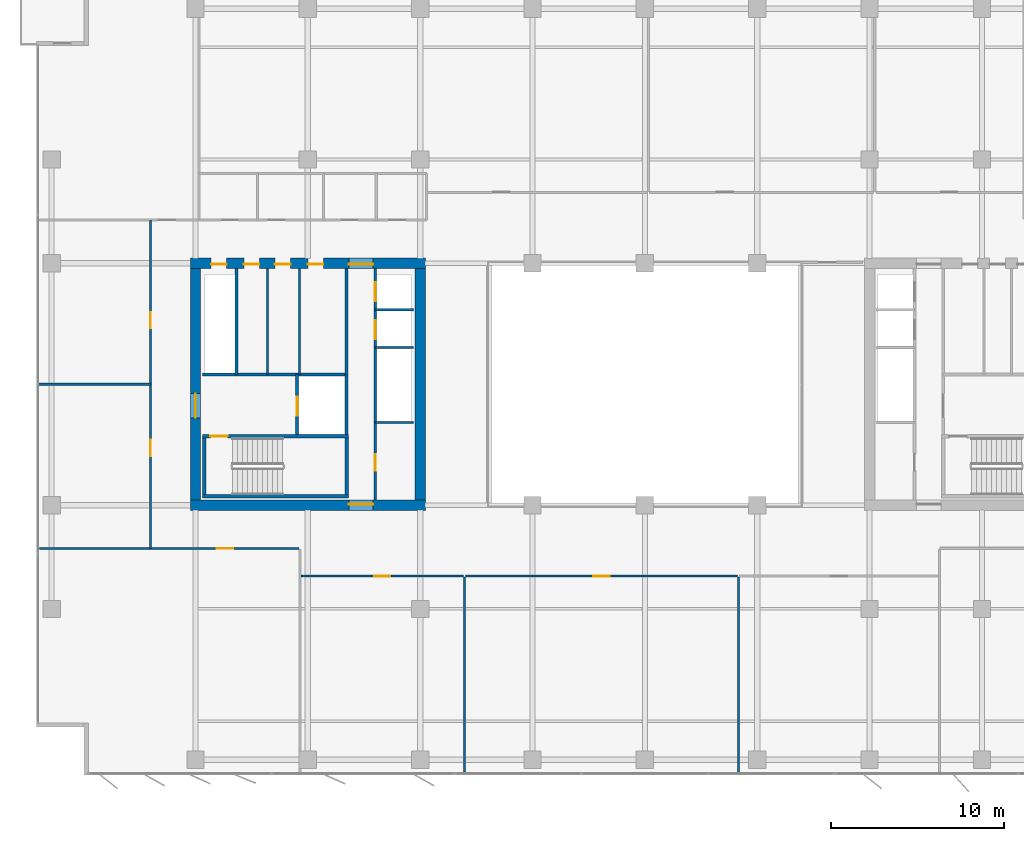
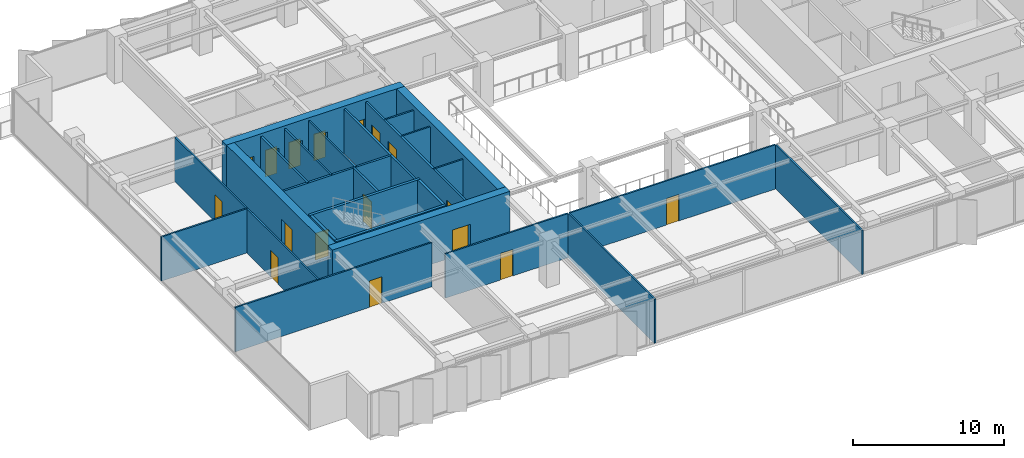
# One storey, part 15 of 22: 27 walls, 17 doors, 17 openings.
"""IFC4 building model written with IfcOpenShell, lengths in metres."""

import ifcopenshell
import ifcopenshell.guid

model = None  # the IFC model being written
_history = None  # IfcOwnerHistory: only IFC2X3 demands one
_inside = {}  # id of a spatial element -> (the spatial element, [elements in it])
_under = {}  # id of a project, library or spatial element -> (it, [spatial elements below it])
_declared = {}  # id of a project -> (the project, [libraries it declares])
_typed = {}  # id of a type object -> (the type object, [elements of that type])
_made_of = {}  # id of a material, layer set ... -> (it, [elements and type objects made of it])


def new_model(schema):
    """Start an empty IFC model of exactly this schema.

    Asked for "IFC4X3", IfcOpenShell would pick the latest addendum, in which some entities
    have other attributes; the version numbers below select the first issue.
    IFC2X3 requires an IfcOwnerHistory on every rooted entity: one is made here for all.
    """
    global model, _history
    if schema == "IFC4X3":
        model = ifcopenshell.file(schema_version=(4, 3, 0, 0))
    else:
        model = ifcopenshell.file(schema=schema)
    _inside.clear()
    _under.clear()
    _declared.clear()
    _typed.clear()
    _made_of.clear()
    _history = None
    if model.schema == "IFC2X3":
        org = make("IfcOrganization", Name="unknown")
        user = make(
            "IfcPersonAndOrganization",
            ThePerson=make("IfcPerson", FamilyName="unknown"),
            TheOrganization=org,
        )
        app = make(
            "IfcApplication",
            ApplicationDeveloper=org,
            Version="unknown",
            ApplicationFullName="unknown",
            ApplicationIdentifier="unknown",
        )
        _history = make(
            "IfcOwnerHistory",
            OwningUser=user,
            OwningApplication=app,
            ChangeAction="ADDED",
            CreationDate=0,
        )
    return model


def make(cls, **values):
    """One entity of the class cls with the attributes given. An attribute that is None is left unset."""
    return model.create_entity(
        cls, **{name: value for name, value in values.items() if value is not None}
    )


def rooted(cls, **values):
    """An entity with a GlobalId (a new one), such as an element, a storey or a relation."""
    return make(cls, GlobalId=ifcopenshell.guid.new(), OwnerHistory=_history, **values)


def si_unit(unit_type, name, prefix=None):
    """IfcSIUnit, for example si_unit("LENGTHUNIT", "METRE", prefix="MILLI")."""
    return make("IfcSIUnit", UnitType=unit_type, Prefix=prefix, Name=name)


def assignment(units):
    """IfcUnitAssignment: the units of a project."""
    return None if units is None else make("IfcUnitAssignment", Units=units)


def point(xyz):
    """IfcCartesianPoint."""
    return None if xyz is None else make("IfcCartesianPoint", Coordinates=xyz)


def direction(xyz):
    """IfcDirection."""
    return None if xyz is None else make("IfcDirection", DirectionRatios=xyz)


def frame(location, z_axis=None, x_axis=None):
    """IfcAxis2Placement3D, a coordinate frame: its origin and axes. An axis left out is left unset."""
    return make(
        "IfcAxis2Placement3D",
        Location=point(location),
        Axis=direction(z_axis),
        RefDirection=direction(x_axis),
    )


def frame_2d(location, x_axis=None):
    """IfcAxis2Placement2D, a coordinate frame in the plane: its origin and x axis."""
    return make(
        "IfcAxis2Placement2D", Location=point(location), RefDirection=direction(x_axis)
    )


def origin():
    """The frame at (0, 0, 0) with its axes left unset."""
    return frame((0.0, 0.0, 0.0))


def place(relative_to, where):
    """IfcLocalPlacement: puts the frame where relative to a parent placement (None: the world)."""
    return make(
        "IfcLocalPlacement", PlacementRelTo=relative_to, RelativePlacement=where
    )


def context(
    kind, dimensions, precision=None, world=None, true_north=None, identifier=None
):
    """IfcGeometricRepresentationContext, for example the 3D "Model" context."""
    return make(
        "IfcGeometricRepresentationContext",
        ContextIdentifier=identifier,
        ContextType=kind,
        CoordinateSpaceDimension=dimensions,
        Precision=precision,
        WorldCoordinateSystem=world,
        TrueNorth=true_north,
    )


def subcontext(parent, identifier, kind, view, scale=None):
    """IfcGeometricRepresentationSubContext, for example "Body" below "Model"."""
    return make(
        "IfcGeometricRepresentationSubContext",
        ContextIdentifier=identifier,
        ContextType=kind,
        ParentContext=parent,
        TargetScale=scale,
        TargetView=view,
    )


def project(units=None, contexts=None):
    """IfcProject with its units and contexts."""
    return rooted(
        "IfcProject",
        Name="project",
        RepresentationContexts=contexts,
        UnitsInContext=assignment(units),
    )


def spatial(cls, under=None, at=None, **own):
    """A site, building, storey or space (cls), placed at a placement, below another one or the project."""
    s = rooted(cls, ObjectPlacement=at, **own)
    if under is not None:
        _under.setdefault(under.id(), (under, []))[1].append(s)
    return s


def profile(cls, at=None, kind="AREA", **sizes):
    """A parametric profile (cls). Its sizes go by their IFC names, for example OverallWidth=200.0."""
    return make(cls, ProfileType=kind, Position=at, **sizes)


def rectangle(**sizes):
    """IfcRectangleProfileDef."""
    return profile("IfcRectangleProfileDef", **sizes)


def extrude(swept, where, along, depth):
    """IfcExtrudedAreaSolid: the profile swept, set in the frame where, extruded along a direction by depth."""
    return make(
        "IfcExtrudedAreaSolid",
        SweptArea=swept,
        Position=where,
        ExtrudedDirection=direction(along),
        Depth=depth,
    )


def shape(context_of_items, identifier, shape_type, items):
    """IfcShapeRepresentation: the items that make up one representation, for example the "Body"."""
    return make(
        "IfcShapeRepresentation",
        ContextOfItems=context_of_items,
        RepresentationIdentifier=identifier,
        RepresentationType=shape_type,
        Items=items,
    )


def material(Name=None, Category=None):
    """IfcMaterial."""
    return make("IfcMaterial", Name=Name, Category=Category)


def layer(
    of_material, thickness, ventilated=None, Name=None, Category=None, Priority=None
):
    """IfcMaterialLayer: one layer of a wall or slab, of a material (None: an air gap)."""
    return make(
        "IfcMaterialLayer",
        Material=of_material,
        LayerThickness=thickness,
        IsVentilated=ventilated,
        Name=Name,
        Category=Category,
        Priority=Priority,
    )


def layer_set(layers, Name=None):
    """IfcMaterialLayerSet."""
    return make("IfcMaterialLayerSet", MaterialLayers=layers, LayerSetName=Name)


def made_of(thing, what):
    """Note that an element or type object is made of a material, layer set ...; save() writes the relation."""
    if what is not None:
        _made_of.setdefault(what.id(), (what, []))[1].append(thing)
    return thing


def type_object(cls, material=None, **own):
    """A type object (cls), such as IfcWallType, which elements share."""
    return made_of(rooted(cls, **own), material)


def element(
    cls,
    number,
    at=None,
    inside=None,
    cuts=None,
    type_object=None,
    material=None,
    context=None,
    identifier="Body",
    shape_type=None,
    held_by="IfcProductDefinitionShape",
    body=None,
    shapes=None,
    **own,
):
    """One element of the class cls, such as IfcWall. Its Tag is "e" and its number.

    at: its placement. inside: the storey or other place that contains it. cuts: it is an
    opening in that element (IfcRelVoidsElement). A single representation is given by context,
    identifier, shape_type and body (its items); several are given by shapes. held_by: the class
    of the entity that holds the representations. save() writes the other relations.
    """
    e = rooted(cls, Tag="e%d" % number, ObjectPlacement=at, **own)
    if body is not None:
        shapes = [shape(context, identifier, shape_type, body)]
    if shapes is not None:
        e.Representation = make(held_by, Representations=shapes)
    if inside is not None:
        _inside.setdefault(inside.id(), (inside, []))[1].append(e)
    if cuts is not None:
        rooted(
            "IfcRelVoidsElement", RelatingBuildingElement=cuts, RelatedOpeningElement=e
        )
    if type_object is not None:
        _typed.setdefault(type_object.id(), (type_object, []))[1].append(e)
    return made_of(e, material)


def fill(opening, filler):
    """IfcRelFillsElement: the door or window that sits in an opening."""
    return rooted(
        "IfcRelFillsElement",
        RelatingOpeningElement=opening,
        RelatedBuildingElement=filler,
    )


def aggregate(whole, parts):
    """IfcRelAggregates: a whole, such as a stair, and the parts it consists of."""
    return rooted("IfcRelAggregates", RelatingObject=whole, RelatedObjects=parts)


def save(model, path):
    """Write the relations noted so far, then the file.

    IfcRelAggregates (storeys below a building ...), IfcRelContainedInSpatialStructure (elements
    in a storey), IfcRelDefinesByType, IfcRelAssociatesMaterial and IfcRelDeclares: one each for
    every whole, place, type object, material and project.
    """
    for whole, parts in _under.values():
        aggregate(whole, parts)
    for where, things in _inside.values():
        rooted(
            "IfcRelContainedInSpatialStructure",
            RelatedElements=things,
            RelatingStructure=where,
        )
    for kind, things in _typed.values():
        rooted("IfcRelDefinesByType", RelatedObjects=things, RelatingType=kind)
    for what, things in _made_of.values():
        rooted("IfcRelAssociatesMaterial", RelatedObjects=things, RelatingMaterial=what)
    for by, libraries in _declared.values():
        rooted("IfcRelDeclares", RelatingContext=by, RelatedDefinitions=libraries)
    model.write(path)


model = new_model("IFC4")

# Units and contexts
model_context = context("Model", 3, precision=1e-05, world=origin(), true_north=direction((0.0, 1.0)))
body_context = subcontext(model_context, "Body", "Model", "MODEL_VIEW")
ifc_project = project(units=[si_unit("LENGTHUNIT", "METRE"), si_unit("AREAUNIT", "SQUARE_METRE"), si_unit("VOLUMEUNIT", "CUBIC_METRE"), si_unit("PLANEANGLEUNIT", "RADIAN"), si_unit("MASSUNIT", "GRAM", prefix="KILO")], contexts=[model_context])

# Site, building, storey
site_placement = place(None, origin())
site = spatial("IfcSite", under=ifc_project, at=site_placement, CompositionType="ELEMENT")
building_placement = place(site_placement, origin())
building = spatial("IfcBuilding", under=site, at=building_placement, Name="Putna Gate Headquarters", CompositionType="ELEMENT")
storey_placement = place(building_placement, frame((0.0, 0.0, 148.0)))
storey = spatial("IfcBuildingStorey", under=building, at=storey_placement, Name="L36", CompositionType="ELEMENT", Elevation=148.0)

# Wall, opening, door
ifc_material_1 = material(Name="Concrete C50/60", Category="concrete")
ifc_layer_1 = layer(ifc_material_1, 0.60009765625)
ifc_layer_set_1 = layer_set([ifc_layer_1], Name="Concrete C50/60")
wall_type_1 = type_object("IfcWallType", Name="WALL-CORE-600", PredefinedType="SHEAR", material=ifc_layer_set_1)
wall_1_placement = place(storey_placement, frame((12.699951171875, 19.0, 0.0), z_axis=(0.0, 0.0, 1.0), x_axis=(1.0, 0.0, 0.0)))
wall_1 = element("IfcWall", 1, at=wall_1_placement, inside=storey, type_object=wall_type_1, Name="L36 WC Split Core Shear Wall S", PredefinedType="SHEAR", context=body_context, shape_type="SweptSolid", body=[
    extrude(rectangle(XDim=13.60009765625, YDim=0.60009765625, at=frame_2d((6.800048828125, 0.0))), origin(), (0.0, 0.0, 1.0), 3.800048828125),
])
opening_1_placement = place(wall_1_placement, frame((9.179931640625, 0.0, 0.0)))
opening_1 = element("IfcOpeningElement", 2, at=opening_1_placement, cuts=wall_1, Name="Opening FDD-140", PredefinedType="OPENING", context=body_context, shape_type="SweptSolid", body=[
    extrude(rectangle(XDim=1.39990234375, YDim=2.199951171875, at=frame_2d((0.699951171875, 1.10009765625))), frame((0.0, 0.31005859375, 0.0), z_axis=(0.0, -1.0, 0.0), x_axis=(1.0, 0.0, 0.0)), (0.0, 0.0, 1.0), 0.6201171875),
])
ifc_material_2 = material(Name="Double steel fire door", Category="steel")
door_type_1 = type_object("IfcDoorType", Name="DOOR-FIRE-DBL-1400", OperationType="DOUBLE_DOOR_SINGLE_SWING", PredefinedType="DOOR", material=ifc_material_2)
door_1_placement = place(opening_1_placement, origin())
door_1 = element("IfcDoor", 3, at=door_1_placement, inside=storey, type_object=door_type_1, Name="L36 West Lift Lobby South Door", OperationType="DOUBLE_DOOR_SINGLE_SWING", OverallHeight=2.199951171875, OverallWidth=1.39990234375, PredefinedType="DOOR", context=body_context, shape_type="SweptSolid", body=[
    extrude(rectangle(XDim=1.39990234375, YDim=2.199951171875, at=frame_2d((0.699951171875, 1.10009765625))), frame((0.0, 0.0751953125, 0.0), z_axis=(0.0, -1.0, 0.0), x_axis=(1.0, 0.0, 0.0)), (0.0, 0.0, 1.0), 0.050048828125),
])
fill(opening_1, door_1)

# Wall, openings, doors
wall_2_placement = place(storey_placement, frame((12.699951171875, 33.0, 0.0), z_axis=(0.0, 0.0, 1.0), x_axis=(1.0, 0.0, 0.0)))
wall_2 = element("IfcWall", 4, at=wall_2_placement, inside=storey, type_object=wall_type_1, Name="L36 WC Split Core Shear Wall N", PredefinedType="SHEAR", context=body_context, shape_type="SweptSolid", body=[
    extrude(rectangle(XDim=13.60009765625, YDim=0.60009765625, at=frame_2d((6.800048828125, 0.0))), origin(), (0.0, 0.0, 1.0), 3.800048828125),
])
opening_2_placement = place(wall_2_placement, frame((1.199951171875, 0.0, 0.0)))
opening_2 = element("IfcOpeningElement", 5, at=opening_2_placement, cuts=wall_2, Name="Opening RD-90", PredefinedType="OPENING", context=body_context, shape_type="SweptSolid", body=[
    extrude(rectangle(XDim=0.89990234375, YDim=2.14990234375, at=frame_2d((0.449951171875, 1.074951171875))), frame((0.0, 0.31005859375, 0.0), z_axis=(0.0, -1.0, 0.0), x_axis=(1.0, 0.0, 0.0)), (0.0, 0.0, 1.0), 0.6201171875),
])
opening_3_placement = place(wall_2_placement, frame((3.10009765625, 0.0, 0.0)))
opening_3 = element("IfcOpeningElement", 6, at=opening_3_placement, cuts=wall_2, Name="Opening IDS-90", PredefinedType="OPENING", context=body_context, shape_type="SweptSolid", body=[
    extrude(rectangle(XDim=0.89990234375, YDim=2.14990234375, at=frame_2d((0.449951171875, 1.074951171875))), frame((0.0, 0.31005859375, 0.0), z_axis=(0.0, -1.0, 0.0), x_axis=(1.0, 0.0, 0.0)), (0.0, 0.0, 1.0), 0.6201171875),
])
opening_4_placement = place(wall_2_placement, frame((4.89990234375, 0.0, 0.0)))
opening_4 = element("IfcOpeningElement", 7, at=opening_4_placement, cuts=wall_2, Name="Opening IDS-90", PredefinedType="OPENING", context=body_context, shape_type="SweptSolid", body=[
    extrude(rectangle(XDim=0.89990234375, YDim=2.14990234375, at=frame_2d((0.449951171875, 1.074951171875))), frame((0.0, 0.31005859375, 0.0), z_axis=(0.0, -1.0, 0.0), x_axis=(1.0, 0.0, 0.0)), (0.0, 0.0, 1.0), 0.6201171875),
])
opening_5_placement = place(wall_2_placement, frame((6.800048828125, 0.0, 0.0)))
opening_5 = element("IfcOpeningElement", 8, at=opening_5_placement, cuts=wall_2, Name="Opening IDS-90", PredefinedType="OPENING", context=body_context, shape_type="SweptSolid", body=[
    extrude(rectangle(XDim=0.89990234375, YDim=2.14990234375, at=frame_2d((0.449951171875, 1.074951171875))), frame((0.0, 0.31005859375, 0.0), z_axis=(0.0, -1.0, 0.0), x_axis=(1.0, 0.0, 0.0)), (0.0, 0.0, 1.0), 0.6201171875),
])
opening_6_placement = place(wall_2_placement, frame((9.179931640625, 0.0, 0.0)))
opening_6 = element("IfcOpeningElement", 9, at=opening_6_placement, cuts=wall_2, Name="Opening FDD-140", PredefinedType="OPENING", context=body_context, shape_type="SweptSolid", body=[
    extrude(rectangle(XDim=1.39990234375, YDim=2.199951171875, at=frame_2d((0.699951171875, 1.10009765625))), frame((0.0, 0.31005859375, 0.0), z_axis=(0.0, -1.0, 0.0), x_axis=(1.0, 0.0, 0.0)), (0.0, 0.0, 1.0), 0.6201171875),
])
door_2_placement = place(opening_6_placement, origin())
door_2 = element("IfcDoor", 10, at=door_2_placement, inside=storey, type_object=door_type_1, Name="L36 West Lift Lobby North Door", OperationType="DOUBLE_DOOR_SINGLE_SWING", OverallHeight=2.199951171875, OverallWidth=1.39990234375, PredefinedType="DOOR", context=body_context, shape_type="SweptSolid", body=[
    extrude(rectangle(XDim=1.39990234375, YDim=2.199951171875, at=frame_2d((0.699951171875, 1.10009765625))), frame((0.0, -0.02490234375, 0.0), z_axis=(0.0, -1.0, 0.0), x_axis=(1.0, 0.0, 0.0)), (0.0, 0.0, 1.0), 0.050048828125),
])
fill(opening_6, door_2)
ifc_material_3 = material(Name="Fire-rated utility door")
door_type_2 = type_object("IfcDoorType", Name="DOOR-INT-900", OperationType="NOTDEFINED", PredefinedType="DOOR", material=ifc_material_3)
door_3_placement = place(opening_3_placement, origin())
door_3 = element("IfcDoor", 11, at=door_3_placement, inside=storey, type_object=door_type_2, Name="L36 Janitor Cupboard Door", OperationType="SINGLE_SWING_LEFT", OverallHeight=2.14990234375, OverallWidth=0.89990234375, PredefinedType="DOOR", context=body_context, shape_type="SweptSolid", body=[
    extrude(rectangle(XDim=0.89990234375, YDim=2.14990234375, at=frame_2d((0.449951171875, 1.074951171875))), frame((0.0, -0.02490234375, 0.0), z_axis=(0.0, -1.0, 0.0), x_axis=(1.0, 0.0, 0.0)), (0.0, 0.0, 1.0), 0.050048828125),
])
fill(opening_3, door_3)
door_4_placement = place(opening_4_placement, origin())
door_4 = element("IfcDoor", 12, at=door_4_placement, inside=storey, type_object=door_type_2, Name="L36 IT Patch Plant Door", OperationType="SINGLE_SWING_RIGHT", OverallHeight=2.14990234375, OverallWidth=0.89990234375, PredefinedType="DOOR", context=body_context, shape_type="SweptSolid", body=[
    extrude(rectangle(XDim=0.89990234375, YDim=2.14990234375, at=frame_2d((0.449951171875, 1.074951171875))), frame((0.0, -0.02490234375, 0.0), z_axis=(0.0, -1.0, 0.0), x_axis=(1.0, 0.0, 0.0)), (0.0, 0.0, 1.0), 0.050048828125),
])
fill(opening_4, door_4)
door_5_placement = place(opening_5_placement, origin())
door_5 = element("IfcDoor", 13, at=door_5_placement, inside=storey, type_object=door_type_2, Name="L36 Building Records Store Door", OperationType="SINGLE_SWING_LEFT", OverallHeight=2.14990234375, OverallWidth=0.89990234375, PredefinedType="DOOR", context=body_context, shape_type="SweptSolid", body=[
    extrude(rectangle(XDim=0.89990234375, YDim=2.14990234375, at=frame_2d((0.449951171875, 1.074951171875))), frame((0.0, -0.02490234375, 0.0), z_axis=(0.0, -1.0, 0.0), x_axis=(1.0, 0.0, 0.0)), (0.0, 0.0, 1.0), 0.050048828125),
])
fill(opening_5, door_5)
ifc_material_4 = material(Name="Steel riser access fire door", Category="steel")
door_type_3 = type_object("IfcDoorType", Name="DOOR-RISER-900", OperationType="NOTDEFINED", PredefinedType="DOOR", material=ifc_material_4)
door_6_placement = place(opening_2_placement, origin())
door_6 = element("IfcDoor", 14, at=door_6_placement, inside=storey, type_object=door_type_3, Name="L36 West Riser Access Door", OperationType="SINGLE_SWING_RIGHT", OverallHeight=2.14990234375, OverallWidth=0.89990234375, PredefinedType="DOOR", context=body_context, shape_type="SweptSolid", body=[
    extrude(rectangle(XDim=0.89990234375, YDim=2.14990234375, at=frame_2d((0.449951171875, 1.074951171875))), frame((0.0, -0.02490234375, 0.0), z_axis=(0.0, -1.0, 0.0), x_axis=(1.0, 0.0, 0.0)), (0.0, 0.0, 1.0), 0.050048828125),
])
fill(opening_2, door_6)

# Wall, opening, door
wall_3_placement = place(storey_placement, frame((13.0, 19.300048828125, 0.0), z_axis=(0.0, 0.0, 1.0), x_axis=(0.0, 1.0, 0.0)))
wall_3 = element("IfcWall", 15, at=wall_3_placement, inside=storey, type_object=wall_type_1, Name="L36 WC Split Core Shear Wall W", PredefinedType="SHEAR", context=body_context, shape_type="SweptSolid", body=[
    extrude(rectangle(XDim=13.39990234375, YDim=0.60009765625, at=frame_2d((6.699951171875, 0.0))), origin(), (0.0, 0.0, 1.0), 3.800048828125),
])
opening_7_placement = place(wall_3_placement, frame((4.75, 0.0, 0.0)))
opening_7 = element("IfcOpeningElement", 16, at=opening_7_placement, cuts=wall_3, Name="Opening FDD-140", PredefinedType="OPENING", context=body_context, shape_type="SweptSolid", body=[
    extrude(rectangle(XDim=1.39990234375, YDim=2.199951171875, at=frame_2d((0.699951171875, 1.10009765625))), frame((0.0, 0.31005859375, 0.0), z_axis=(0.0, -1.0, 0.0), x_axis=(1.0, 0.0, 0.0)), (0.0, 0.0, 1.0), 0.6201171875),
])
door_7_placement = place(opening_7_placement, origin())
door_7 = element("IfcDoor", 17, at=door_7_placement, inside=storey, type_object=door_type_1, Name="L36 West Firefighting Lobby Door", OperationType="DOUBLE_DOOR_SINGLE_SWING", OverallHeight=2.199951171875, OverallWidth=1.39990234375, PredefinedType="DOOR", context=body_context, shape_type="SweptSolid", body=[
    extrude(rectangle(XDim=1.39990234375, YDim=2.199951171875, at=frame_2d((0.699951171875, 1.10009765625))), frame((0.0, 0.02490234375, 0.0), z_axis=(0.0, -1.0, 0.0), x_axis=(1.0, 0.0, 0.0)), (0.0, 0.0, 1.0), 0.050048828125),
])
fill(opening_7, door_7)

# Walls
wall_4_placement = place(storey_placement, frame((26.0, 19.300048828125, 0.0), z_axis=(0.0, 0.0, 1.0), x_axis=(0.0, 1.0, 0.0)))
element("IfcWall", 18, at=wall_4_placement, inside=storey, type_object=wall_type_1, Name="L36 WC Split Core Shear Wall E", PredefinedType="SHEAR", context=body_context, shape_type="SweptSolid", body=[
    extrude(rectangle(XDim=13.39990234375, YDim=0.60009765625, at=frame_2d((6.699951171875, 0.0))), origin(), (0.0, 0.0, 1.0), 3.800048828125),
])
ifc_material_5 = material(Name="Acoustic gypsum board on metal stud")
ifc_layer_2 = layer(ifc_material_5, 0.1201171875)
ifc_layer_set_2 = layer_set([ifc_layer_2], Name="Acoustic gypsum board on metal stud")
wall_type_2 = type_object("IfcWallType", Name="WALL-PART-120", PredefinedType="PARTITIONING", material=ifc_layer_set_2)
for number, where, z_axis, x_axis, name in (
    (19, (28.556884765625, 3.419921875, 0.0), (0.0, 0.0, 1.0), (0.0, 1.0, 0.0), "L36 Interior Wall PART-L36-SB-DIV-02"),
    (20, (44.421142578125, 3.419921875, 0.0), (0.0, 0.0, 1.0), (0.0, 1.0, 0.0), "L36 Interior Wall PART-L36-SB-DIV-03"),
):
    element("IfcWall", number, at=place(storey_placement, frame(where, z_axis=z_axis, x_axis=x_axis)), inside=storey, type_object=wall_type_2, Name=name, PredefinedType="PARTITIONING", context=body_context, shape_type="SweptSolid", body=[
        extrude(rectangle(XDim=11.420166015625, YDim=0.1201171875, at=frame_2d((5.7099609375, 0.0))), origin(), (0.0, 0.0, 1.0), 3.572021484375),
    ])
wall_5_placement = place(storey_placement, frame((3.820068359375, 26.0, 0.0), z_axis=(0.0, 0.0, 1.0), x_axis=(1.0, 0.0, 0.0)))
element("IfcWall", 21, at=wall_5_placement, inside=storey, type_object=wall_type_2, Name="L36 Interior Wall PART-L36-WW-DIV-1", PredefinedType="PARTITIONING", context=body_context, shape_type="SweptSolid", body=[
    extrude(rectangle(XDim=6.579833984375, YDim=0.1201171875, at=frame_2d((3.2900390625, 0.0))), origin(), (0.0, 0.0, 1.0), 3.572021484375),
])
ifc_material_6 = material(Name="Fire-rated shaftwall gypsum board on metal stud")
ifc_layer_3 = layer(ifc_material_6, 0.1201171875)
ifc_layer_set_3 = layer_set([ifc_layer_3], Name="Fire-rated shaftwall gypsum board on metal stud")
wall_type_3 = type_object("IfcWallType", Name="WALL-PART-120-EI120", PredefinedType="PARTITIONING", material=ifc_layer_set_3)
for number, where, z_axis, x_axis, name in (
    (22, (23.39990234375, 28.1201171875, 0.0), (0.0, 0.0, 1.0), (1.0, 0.0, 0.0), "L36 Interior Wall CWINT-L36-WC-LF06-DIV"),
    (23, (23.39990234375, 30.31005859375, 0.0), (0.0, 0.0, 1.0), (1.0, 0.0, 0.0), "L36 Interior Wall CWINT-L36-WC-LF09-DIV"),
):
    element("IfcWall", number, at=place(storey_placement, frame(where, z_axis=z_axis, x_axis=x_axis)), inside=storey, type_object=wall_type_3, Name=name, PredefinedType="PARTITIONING", context=body_context, shape_type="SweptSolid", body=[
        extrude(rectangle(XDim=2.2001953125, YDim=0.1201171875, at=frame_2d((1.10009765625, 0.0))), origin(), (0.0, 0.0, 1.0), 3.572021484375),
    ])
ifc_material_7 = material(Name="Fire-rated gypsum board on metal stud")
ifc_layer_4 = layer(ifc_material_7, 0.1201171875)
ifc_layer_set_4 = layer_set([ifc_layer_4], Name="Fire-rated gypsum board on metal stud")
wall_type_4 = type_object("IfcWallType", Name="WALL-PART-120-RATED", PredefinedType="PARTITIONING", material=ifc_layer_set_4)
for number, where, z_axis, x_axis, name in (
    (24, (17.169921875, 26.56005859375, 0.0), (0.0, 0.0, 1.0), (0.0, 1.0, 0.0), "L36 Interior Wall CWINT-L36-WC-K2-D1"),
    (25, (19.02001953125, 26.56005859375, 0.0), (0.0, 0.0, 1.0), (0.0, 1.0, 0.0), "L36 Interior Wall CWINT-L36-WC-K2-D2"),
):
    element("IfcWall", number, at=place(storey_placement, frame(where, z_axis=z_axis, x_axis=x_axis)), inside=storey, type_object=wall_type_4, Name=name, PredefinedType="PARTITIONING", context=body_context, shape_type="SweptSolid", body=[
        extrude(rectangle(XDim=6.139892578125, YDim=0.1201171875, at=frame_2d((3.06982421875, 0.0))), origin(), (0.0, 0.0, 1.0), 3.572021484375),
    ])
wall_6_placement = place(storey_placement, frame((23.39990234375, 23.780029296875, 0.0), z_axis=(0.0, 0.0, 1.0), x_axis=(1.0, 0.0, 0.0)))
element("IfcWall", 26, at=wall_6_placement, inside=storey, type_object=wall_type_4, Name="L36 Interior Wall CWINT-L36-WC-LF02-DIV", PredefinedType="PARTITIONING", context=body_context, shape_type="SweptSolid", body=[
    extrude(rectangle(XDim=2.2001953125, YDim=0.1201171875, at=frame_2d((1.10009765625, 0.0))), origin(), (0.0, 0.0, 1.0), 3.572021484375),
])

# Wall, opening, door
wall_7_placement = place(storey_placement, frame((3.97998046875, 16.5, 0.0), z_axis=(0.0, 0.0, 1.0), x_axis=(1.0, 0.0, 0.0)))
wall_7 = element("IfcWall", 27, at=wall_7_placement, inside=storey, type_object=wall_type_4, Name="L36 Interior Wall PART-L36-SB-CW-01", PredefinedType="PARTITIONING", context=body_context, shape_type="SweptSolid", body=[
    extrude(rectangle(XDim=15.01953125, YDim=0.1201171875, at=frame_2d((7.509765625, 0.0))), origin(), (0.0, 0.0, 1.0), 3.572021484375),
])
opening_8_placement = place(wall_7_placement, frame((10.244873046875, 0.0, 0.0)))
opening_8 = element("IfcOpeningElement", 28, at=opening_8_placement, cuts=wall_7, Name="Opening FD-95", PredefinedType="OPENING", context=body_context, shape_type="SweptSolid", body=[
    extrude(rectangle(XDim=0.949951171875, YDim=2.14990234375, at=frame_2d((0.47509765625, 1.074951171875))), frame((0.0, 0.070068359375, 0.0), z_axis=(0.0, -1.0, 0.0), x_axis=(1.0, 0.0, 0.0)), (0.0, 0.0, 1.0), 0.14013671875),
])
ifc_material_8 = material(Name="Acoustic timber fire door", Category="wood")
door_type_4 = type_object("IfcDoorType", Name="DOOR-FIRE-950", OperationType="NOTDEFINED", PredefinedType="DOOR", material=ifc_material_8)
door_8_placement = place(opening_8_placement, origin())
door_8 = element("IfcDoor", 29, at=door_8_placement, inside=storey, type_object=door_type_4, Name="L36 Collaborative Breakout Lounge 1 Door", OperationType="SINGLE_SWING_LEFT", OverallHeight=2.14990234375, OverallWidth=0.949951171875, PredefinedType="DOOR", context=body_context, shape_type="SweptSolid", body=[
    extrude(rectangle(XDim=0.949951171875, YDim=2.14990234375, at=frame_2d((0.47509765625, 1.074951171875))), frame((0.0, 0.02490234375, 0.0), z_axis=(0.0, -1.0, 0.0), x_axis=(1.0, 0.0, 0.0)), (0.0, 0.0, 1.0), 0.050048828125),
])
fill(opening_8, door_8)

wall_8_placement = place(storey_placement, frame((19.11962890625, 14.89990234375, 0.0), z_axis=(0.0, 0.0, 1.0), x_axis=(1.0, 0.0, 0.0)))
wall_8 = element("IfcWall", 30, at=wall_8_placement, inside=storey, type_object=wall_type_4, Name="L36 Interior Wall PART-L36-SB-CW-02", PredefinedType="PARTITIONING", context=body_context, shape_type="SweptSolid", body=[
    extrude(rectangle(XDim=9.37744140625, YDim=0.1201171875, at=frame_2d((4.688720703125, 0.0))), origin(), (0.0, 0.0, 1.0), 3.572021484375),
])
opening_9_placement = place(wall_8_placement, frame((4.213623046875, 0.0, 0.0)))
opening_9 = element("IfcOpeningElement", 31, at=opening_9_placement, cuts=wall_8, Name="Opening FD-95", PredefinedType="OPENING", context=body_context, shape_type="SweptSolid", body=[
    extrude(rectangle(XDim=0.949951171875, YDim=2.14990234375, at=frame_2d((0.47509765625, 1.074951171875))), frame((0.0, 0.070068359375, 0.0), z_axis=(0.0, -1.0, 0.0), x_axis=(1.0, 0.0, 0.0)), (0.0, 0.0, 1.0), 0.14013671875),
])
door_9_placement = place(opening_9_placement, origin())
door_9 = element("IfcDoor", 32, at=door_9_placement, inside=storey, type_object=door_type_4, Name="L36 Cellular Office 1 Door", OperationType="SINGLE_SWING_RIGHT", OverallHeight=2.14990234375, OverallWidth=0.949951171875, PredefinedType="DOOR", context=body_context, shape_type="SweptSolid", body=[
    extrude(rectangle(XDim=0.949951171875, YDim=2.14990234375, at=frame_2d((0.47509765625, 1.074951171875))), frame((0.0, 0.02490234375, 0.0), z_axis=(0.0, -1.0, 0.0), x_axis=(1.0, 0.0, 0.0)), (0.0, 0.0, 1.0), 0.050048828125),
])
fill(opening_9, door_9)

wall_9_placement = place(storey_placement, frame((28.616943359375, 14.89990234375, 0.0), z_axis=(0.0, 0.0, 1.0), x_axis=(1.0, 0.0, 0.0)))
wall_9 = element("IfcWall", 33, at=wall_9_placement, inside=storey, type_object=wall_type_4, Name="L36 Interior Wall PART-L36-SB-CW-03", PredefinedType="PARTITIONING", context=body_context, shape_type="SweptSolid", body=[
    extrude(rectangle(XDim=15.744140625, YDim=0.1201171875, at=frame_2d((7.8720703125, 0.0))), origin(), (0.0, 0.0, 1.0), 3.572021484375),
])
opening_10_placement = place(wall_9_placement, frame((7.39697265625, 0.0, 0.0)))
opening_10 = element("IfcOpeningElement", 34, at=opening_10_placement, cuts=wall_9, Name="Opening FD-95", PredefinedType="OPENING", context=body_context, shape_type="SweptSolid", body=[
    extrude(rectangle(XDim=0.949951171875, YDim=2.14990234375, at=frame_2d((0.47509765625, 1.074951171875))), frame((0.0, 0.070068359375, 0.0), z_axis=(0.0, -1.0, 0.0), x_axis=(1.0, 0.0, 0.0)), (0.0, 0.0, 1.0), 0.14013671875),
])
door_10_placement = place(opening_10_placement, origin())
door_10 = element("IfcDoor", 35, at=door_10_placement, inside=storey, type_object=door_type_4, Name="L36 Cellular Office 2 Door", OperationType="SINGLE_SWING_LEFT", OverallHeight=2.14990234375, OverallWidth=0.949951171875, PredefinedType="DOOR", context=body_context, shape_type="SweptSolid", body=[
    extrude(rectangle(XDim=0.949951171875, YDim=2.14990234375, at=frame_2d((0.47509765625, 1.074951171875))), frame((0.0, 0.02490234375, 0.0), z_axis=(0.0, -1.0, 0.0), x_axis=(1.0, 0.0, 0.0)), (0.0, 0.0, 1.0), 0.050048828125),
])
fill(opening_10, door_10)

wall_10_placement = place(storey_placement, frame((10.39990234375, 16.5, 0.0), z_axis=(0.0, 0.0, 1.0), x_axis=(0.0, 1.0, 0.0)))
wall_10 = element("IfcWall", 36, at=wall_10_placement, inside=storey, type_object=wall_type_4, Name="L36 Interior Wall PART-L36-WW-CW-1", PredefinedType="PARTITIONING", context=body_context, shape_type="SweptSolid", body=[
    extrude(rectangle(XDim=9.5, YDim=0.1201171875, at=frame_2d((4.75, 0.0))), origin(), (0.0, 0.0, 1.0), 3.572021484375),
])
opening_11_placement = place(wall_10_placement, frame((5.324951171875, 0.0, 0.0)))
opening_11 = element("IfcOpeningElement", 37, at=opening_11_placement, cuts=wall_10, Name="Opening FD-95", PredefinedType="OPENING", context=body_context, shape_type="SweptSolid", body=[
    extrude(rectangle(XDim=0.949951171875, YDim=2.14990234375, at=frame_2d((0.47509765625, 1.074951171875))), frame((0.0, 0.070068359375, 0.0), z_axis=(0.0, -1.0, 0.0), x_axis=(1.0, 0.0, 0.0)), (0.0, 0.0, 1.0), 0.14013671875),
])
door_11_placement = place(opening_11_placement, origin())
door_11 = element("IfcDoor", 38, at=door_11_placement, inside=storey, type_object=door_type_4, Name="L36 West Executive Office 1 Door", OperationType="SINGLE_SWING_RIGHT", OverallHeight=2.14990234375, OverallWidth=0.949951171875, PredefinedType="DOOR", context=body_context, shape_type="SweptSolid", body=[
    extrude(rectangle(XDim=0.949951171875, YDim=2.14990234375, at=frame_2d((0.47509765625, 1.074951171875))), frame((0.0, 0.02490234375, 0.0), z_axis=(0.0, -1.0, 0.0), x_axis=(1.0, 0.0, 0.0)), (0.0, 0.0, 1.0), 0.050048828125),
])
fill(opening_11, door_11)

wall_11_placement = place(storey_placement, frame((10.39990234375, 26.0, 0.0), z_axis=(0.0, 0.0, 1.0), x_axis=(0.0, 1.0, 0.0)))
wall_11 = element("IfcWall", 39, at=wall_11_placement, inside=storey, type_object=wall_type_4, Name="L36 Interior Wall PART-L36-WW-CW-2", PredefinedType="PARTITIONING", context=body_context, shape_type="SweptSolid", body=[
    extrude(rectangle(XDim=9.5, YDim=0.1201171875, at=frame_2d((4.75, 0.0))), origin(), (0.0, 0.0, 1.0), 3.572021484375),
])
opening_12_placement = place(wall_11_placement, frame((3.22509765625, 0.0, 0.0)))
opening_12 = element("IfcOpeningElement", 40, at=opening_12_placement, cuts=wall_11, Name="Opening FD-95", PredefinedType="OPENING", context=body_context, shape_type="SweptSolid", body=[
    extrude(rectangle(XDim=0.949951171875, YDim=2.14990234375, at=frame_2d((0.47509765625, 1.074951171875))), frame((0.0, 0.070068359375, 0.0), z_axis=(0.0, -1.0, 0.0), x_axis=(1.0, 0.0, 0.0)), (0.0, 0.0, 1.0), 0.14013671875),
])
door_12_placement = place(opening_12_placement, origin())
door_12 = element("IfcDoor", 41, at=door_12_placement, inside=storey, type_object=door_type_4, Name="L36 West Executive Office 2 Door", OperationType="SINGLE_SWING_LEFT", OverallHeight=2.14990234375, OverallWidth=0.949951171875, PredefinedType="DOOR", context=body_context, shape_type="SweptSolid", body=[
    extrude(rectangle(XDim=0.949951171875, YDim=2.14990234375, at=frame_2d((0.47509765625, 1.074951171875))), frame((0.0, 0.02490234375, 0.0), z_axis=(0.0, -1.0, 0.0), x_axis=(1.0, 0.0, 0.0)), (0.0, 0.0, 1.0), 0.050048828125),
])
fill(opening_12, door_12)

# Wall
ifc_material_9 = material(Name="Concrete C40/50", Category="concrete")
ifc_layer_5 = layer(ifc_material_9, 0.159912109375)
ifc_layer_set_5 = layer_set([ifc_layer_5], Name="Concrete C40/50")
wall_type_5 = type_object("IfcWallType", Name="WALL-SHAFT-160", PredefinedType="STANDARD", material=ifc_layer_set_5)
wall_12_placement = place(storey_placement, frame((21.739990234375, 23.090087890625, 0.0), z_axis=(0.0, 0.0, 1.0), x_axis=(0.0, 1.0, 0.0)))
element("IfcWall", 42, at=wall_12_placement, inside=storey, type_object=wall_type_5, Name="L36 Interior Wall CWINT-L36-WC-FFL-E", PredefinedType="STANDARD", context=body_context, shape_type="SweptSolid", body=[
    extrude(rectangle(XDim=3.469970703125, YDim=0.159912109375, at=frame_2d((1.73486328125, 0.0))), origin(), (0.0, 0.0, 1.0), 3.572021484375),
])

# Wall, opening, door
wall_13_placement = place(storey_placement, frame((18.8798828125, 23.090087890625, 0.0), z_axis=(0.0, 0.0, 1.0), x_axis=(0.0, 1.0, 0.0)))
wall_13 = element("IfcWall", 43, at=wall_13_placement, inside=storey, type_object=wall_type_5, Name="L36 Interior Wall CWINT-L36-WC-LF13-W", PredefinedType="STANDARD", context=body_context, shape_type="SweptSolid", body=[
    extrude(rectangle(XDim=3.469970703125, YDim=0.159912109375, at=frame_2d((1.73486328125, 0.0))), origin(), (0.0, 0.0, 1.0), 3.572021484375),
])
opening_13_placement = place(wall_13_placement, frame((1.10009765625, 0.0, 0.0)))
opening_13 = element("IfcOpeningElement", 44, at=opening_13_placement, cuts=wall_13, Name="Opening LD-1", PredefinedType="OPENING", context=body_context, shape_type="SweptSolid", body=[
    extrude(rectangle(XDim=1.10009765625, YDim=2.199951171875, at=frame_2d((0.550048828125, 1.10009765625))), frame((0.0, 0.08984375, 0.0), z_axis=(0.0, -1.0, 0.0), x_axis=(1.0, 0.0, 0.0)), (0.0, 0.0, 1.0), 0.179931640625),
])
ifc_material_10 = material(Name="Brushed bronze stainless lift landing door")
door_type_5 = type_object("IfcDoorType", Name="DOOR-LIFT-1100", OperationType="DOUBLE_DOOR_SLIDING", PredefinedType="DOOR", material=ifc_material_10)
door_13_placement = place(opening_13_placement, origin())
door_13 = element("IfcDoor", 45, at=door_13_placement, inside=storey, type_object=door_type_5, Name="L36 Lift Landing Door LD-13", OperationType="DOUBLE_DOOR_SLIDING", OverallHeight=2.199951171875, OverallWidth=1.10009765625, PredefinedType="DOOR", context=body_context, shape_type="SweptSolid", body=[
    extrude(rectangle(XDim=1.10009765625, YDim=2.199951171875, at=frame_2d((0.550048828125, 1.10009765625))), frame((0.0, 0.02490234375, 0.0), z_axis=(0.0, -1.0, 0.0), x_axis=(1.0, 0.0, 0.0)), (0.0, 0.0, 1.0), 0.050048828125),
])
fill(opening_13, door_13)

# Walls
wall_14_placement = place(storey_placement, frame((13.39990234375, 26.56005859375, 0.0), z_axis=(0.0, 0.0, 1.0), x_axis=(1.0, 0.0, 0.0)))
element("IfcWall", 46, at=wall_14_placement, inside=storey, type_object=wall_type_5, Name="L36 Interior Wall CWINT-L36-WC-FFL-N", PredefinedType="STANDARD", context=body_context, shape_type="SweptSolid", body=[
    extrude(rectangle(XDim=8.340087890625, YDim=0.159912109375, at=frame_2d((4.169921875, 0.0))), origin(), (0.0, 0.0, 1.0), 3.572021484375),
])
for number, where, z_axis, x_axis, name in (
    (47, (15.3798828125, 26.56005859375, 0.0), (0.0, 0.0, 1.0), (0.0, 1.0, 0.0), "L36 Interior Wall CWINT-L36-WC-RISER-E"),
    (48, (21.739990234375, 26.56005859375, 0.0), (0.0, 0.0, 1.0), (0.0, 1.0, 0.0), "L36 Interior Wall CWINT-L36-WC-LOB-W"),
):
    element("IfcWall", number, at=place(storey_placement, frame(where, z_axis=z_axis, x_axis=x_axis)), inside=storey, type_object=wall_type_5, Name=name, PredefinedType="STANDARD", context=body_context, shape_type="SweptSolid", body=[
        extrude(rectangle(XDim=6.139892578125, YDim=0.159912109375, at=frame_2d((3.06982421875, 0.0))), origin(), (0.0, 0.0, 1.0), 3.572021484375),
    ])

# Wall, openings, doors
wall_15_placement = place(storey_placement, frame((23.39990234375, 19.300048828125, 0.0), z_axis=(0.0, 0.0, 1.0), x_axis=(0.0, 1.0, 0.0)))
wall_15 = element("IfcWall", 49, at=wall_15_placement, inside=storey, type_object=wall_type_5, Name="L36 Interior Wall CWINT-L36-WC-PL-WALL", PredefinedType="STANDARD", context=body_context, shape_type="SweptSolid", body=[
    extrude(rectangle(XDim=13.39990234375, YDim=0.159912109375, at=frame_2d((6.699951171875, 0.0))), origin(), (0.0, 0.0, 1.0), 3.572021484375),
])
opening_14_placement = place(wall_15_placement, frame((1.699951171875, 0.0, 0.0)))
opening_14 = element("IfcOpeningElement", 50, at=opening_14_placement, cuts=wall_15, Name="Opening IDS-95", PredefinedType="OPENING", context=body_context, shape_type="SweptSolid", body=[
    extrude(rectangle(XDim=0.949951171875, YDim=2.14990234375, at=frame_2d((0.47509765625, 1.074951171875))), frame((0.0, 0.08984375, 0.0), z_axis=(0.0, -1.0, 0.0), x_axis=(1.0, 0.0, 0.0)), (0.0, 0.0, 1.0), 0.179931640625),
])
opening_15_placement = place(wall_15_placement, frame((9.300048828125, 0.0, 0.0)))
opening_15 = element("IfcOpeningElement", 51, at=opening_15_placement, cuts=wall_15, Name="Opening LD-1", PredefinedType="OPENING", context=body_context, shape_type="SweptSolid", body=[
    extrude(rectangle(XDim=1.10009765625, YDim=2.199951171875, at=frame_2d((0.550048828125, 1.10009765625))), frame((0.0, 0.08984375, 0.0), z_axis=(0.0, -1.0, 0.0), x_axis=(1.0, 0.0, 0.0)), (0.0, 0.0, 1.0), 0.179931640625),
])
opening_16_placement = place(wall_15_placement, frame((11.5, 0.0, 0.0)))
opening_16 = element("IfcOpeningElement", 52, at=opening_16_placement, cuts=wall_15, Name="Opening LD-1", PredefinedType="OPENING", context=body_context, shape_type="SweptSolid", body=[
    extrude(rectangle(XDim=1.10009765625, YDim=2.199951171875, at=frame_2d((0.550048828125, 1.10009765625))), frame((0.0, 0.08984375, 0.0), z_axis=(0.0, -1.0, 0.0), x_axis=(1.0, 0.0, 0.0)), (0.0, 0.0, 1.0), 0.179931640625),
])
ifc_material_11 = material(Name="Fire-rated service timber door", Category="wood")
door_type_6 = type_object("IfcDoorType", Name="DOOR-INT-950", OperationType="NOTDEFINED", PredefinedType="DOOR", material=ifc_material_11)
door_14_placement = place(opening_14_placement, origin())
door_14 = element("IfcDoor", 53, at=door_14_placement, inside=storey, type_object=door_type_6, Name="L36 Document Archive Door", OperationType="SINGLE_SWING_LEFT", OverallHeight=2.14990234375, OverallWidth=0.949951171875, PredefinedType="DOOR", context=body_context, shape_type="SweptSolid", body=[
    extrude(rectangle(XDim=0.949951171875, YDim=2.14990234375, at=frame_2d((0.47509765625, 1.074951171875))), frame((0.0, 0.02490234375, 0.0), z_axis=(0.0, -1.0, 0.0), x_axis=(1.0, 0.0, 0.0)), (0.0, 0.0, 1.0), 0.050048828125),
])
fill(opening_14, door_14)
door_15_placement = place(opening_15_placement, origin())
door_15 = element("IfcDoor", 54, at=door_15_placement, inside=storey, type_object=door_type_5, Name="L36 Lift Landing Door LD-09", OperationType="DOUBLE_DOOR_SLIDING", OverallHeight=2.199951171875, OverallWidth=1.10009765625, PredefinedType="DOOR", context=body_context, shape_type="SweptSolid", body=[
    extrude(rectangle(XDim=1.10009765625, YDim=2.199951171875, at=frame_2d((0.550048828125, 1.10009765625))), frame((0.0, 0.02490234375, 0.0), z_axis=(0.0, -1.0, 0.0), x_axis=(1.0, 0.0, 0.0)), (0.0, 0.0, 1.0), 0.050048828125),
])
fill(opening_15, door_15)
door_16_placement = place(opening_16_placement, origin())
door_16 = element("IfcDoor", 55, at=door_16_placement, inside=storey, type_object=door_type_5, Name="L36 Lift Landing Door LD-10", OperationType="DOUBLE_DOOR_SLIDING", OverallHeight=2.199951171875, OverallWidth=1.10009765625, PredefinedType="DOOR", context=body_context, shape_type="SweptSolid", body=[
    extrude(rectangle(XDim=1.10009765625, YDim=2.199951171875, at=frame_2d((0.550048828125, 1.10009765625))), frame((0.0, 0.02490234375, 0.0), z_axis=(0.0, -1.0, 0.0), x_axis=(1.0, 0.0, 0.0)), (0.0, 0.0, 1.0), 0.050048828125),
])
fill(opening_16, door_16)

# Wall
ifc_layer_6 = layer(ifc_material_9, 0.199951171875)
ifc_layer_set_6 = layer_set([ifc_layer_6], Name="Concrete C40/50")
wall_type_6 = type_object("IfcWallType", Name="WALL-SHAFT-RC200", PredefinedType="SHEAR", material=ifc_layer_set_6)
wall_16_placement = place(storey_placement, frame((13.409912109375, 19.510009765625, 0.0), z_axis=(0.0, 0.0, 1.0), x_axis=(1.0, 0.0, 0.0)))
element("IfcWall", 56, at=wall_16_placement, inside=storey, type_object=wall_type_6, Name="L36 Stair ST1 Structural Shaft Wall S", PredefinedType="SHEAR", context=body_context, shape_type="SweptSolid", body=[
    extrude(rectangle(XDim=8.43017578125, YDim=0.199951171875, at=frame_2d((4.215087890625, 0.0))), origin(), (0.0, 0.0, 1.0), 3.800048828125),
])

# Wall, opening, door
wall_17_placement = place(storey_placement, frame((13.409912109375, 22.989990234375, 0.0), z_axis=(0.0, 0.0, 1.0), x_axis=(1.0, 0.0, 0.0)))
wall_17 = element("IfcWall", 57, at=wall_17_placement, inside=storey, type_object=wall_type_6, Name="L36 Stair ST1 Structural Shaft Wall N", PredefinedType="SHEAR", context=body_context, shape_type="SweptSolid", body=[
    extrude(rectangle(XDim=8.43017578125, YDim=0.199951171875, at=frame_2d((4.215087890625, 0.0))), origin(), (0.0, 0.0, 1.0), 3.800048828125),
])
opening_17_placement = place(wall_17_placement, frame((0.449951171875, 0.0, 0.0)))
opening_17 = element("IfcOpeningElement", 58, at=opening_17_placement, cuts=wall_17, Name="Opening FD-100", PredefinedType="OPENING", context=body_context, shape_type="SweptSolid", body=[
    extrude(rectangle(XDim=1.0, YDim=2.14990234375, at=frame_2d((0.5, 1.074951171875))), frame((0.0, 0.10986328125, 0.0), z_axis=(0.0, -1.0, 0.0), x_axis=(1.0, 0.0, 0.0)), (0.0, 0.0, 1.0), 0.219970703125),
])
ifc_material_12 = material(Name="Powder-coated steel fire door", Category="steel")
door_type_7 = type_object("IfcDoorType", Name="DOOR-FIRE-1000", OperationType="NOTDEFINED", PredefinedType="DOOR", material=ifc_material_12)
door_17_placement = place(opening_17_placement, origin())
door_17 = element("IfcDoor", 59, at=door_17_placement, inside=storey, type_object=door_type_7, Name="L36 Stair ST1 Fire Door", OperationType="SINGLE_SWING_LEFT", OverallHeight=2.14990234375, OverallWidth=1.0, PredefinedType="DOOR", context=body_context, shape_type="SweptSolid", body=[
    extrude(rectangle(XDim=1.0, YDim=2.14990234375, at=frame_2d((0.5, 1.074951171875))), frame((0.0, 0.02490234375, 0.0), z_axis=(0.0, -1.0, 0.0), x_axis=(1.0, 0.0, 0.0)), (0.0, 0.0, 1.0), 0.050048828125),
])
fill(opening_17, door_17)

# Walls
for number, where, z_axis, x_axis, name in (
    (60, (13.510009765625, 19.610107421875, 0.0), (0.0, 0.0, 1.0), (0.0, 1.0, 0.0), "L36 Stair ST1 Structural Shaft Wall W"),
    (61, (21.739990234375, 19.610107421875, 0.0), (0.0, 0.0, 1.0), (0.0, 1.0, 0.0), "L36 Stair ST1 Structural Shaft Wall E"),
):
    element("IfcWall", number, at=place(storey_placement, frame(where, z_axis=z_axis, x_axis=x_axis)), inside=storey, type_object=wall_type_6, Name=name, PredefinedType="SHEAR", context=body_context, shape_type="SweptSolid", body=[
        extrude(rectangle(XDim=3.27978515625, YDim=0.199951171875, at=frame_2d((1.639892578125, 0.0))), origin(), (0.0, 0.0, 1.0), 3.800048828125),
    ])

save(model, "model.ifc")
